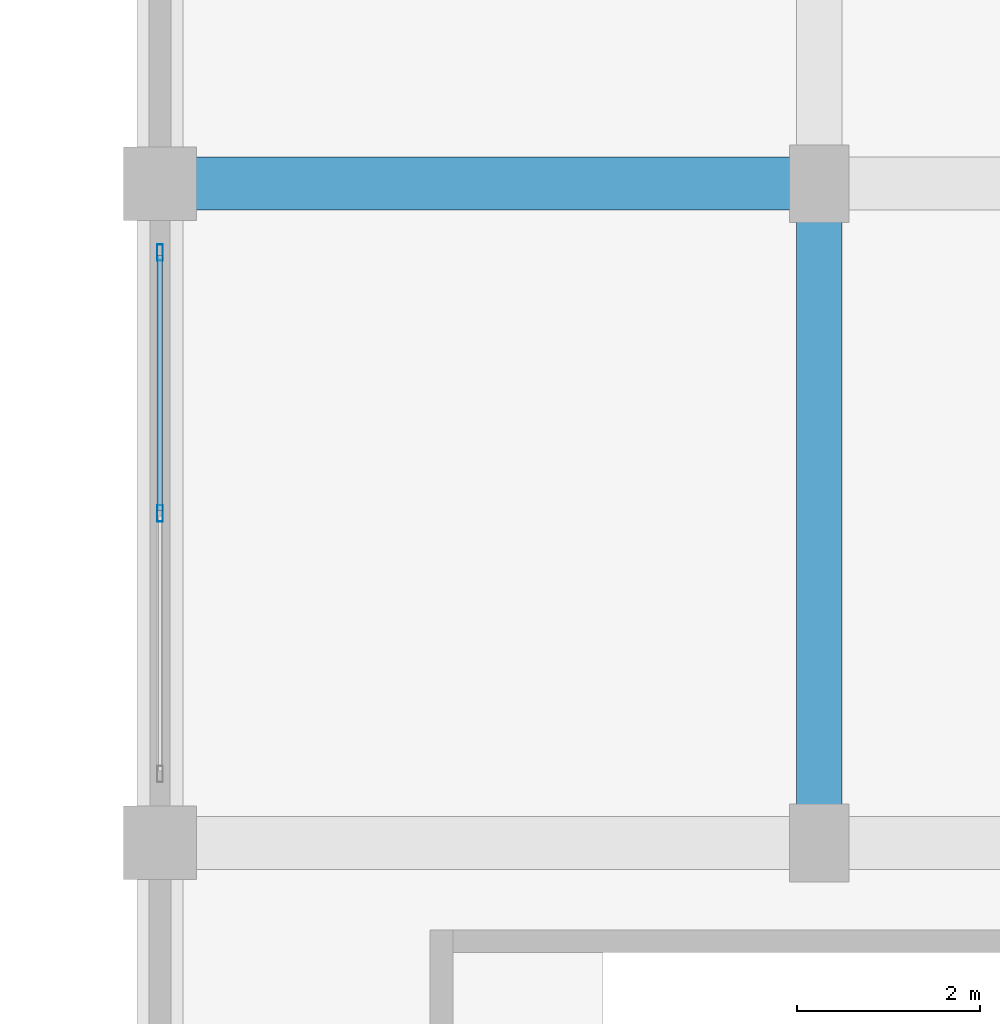
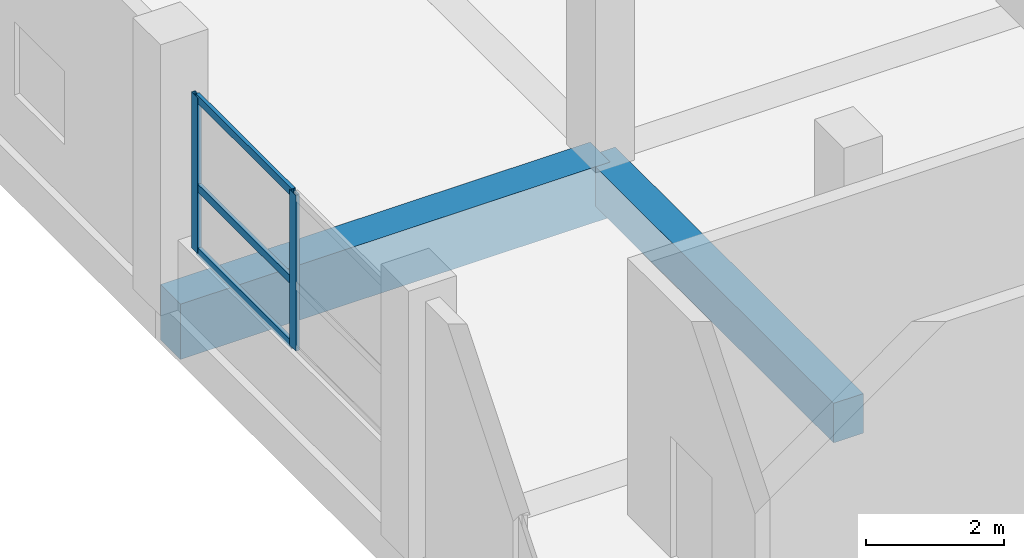
# One storey, part 77 of 140: 5 members, 2 beams, 1 element without a shape of its own.
"""IFC4 building model written with IfcOpenShell, lengths in metres."""

from ifc_helpers import new_model, si_unit, direction, frame, origin, origin_2d, place, context, subcontext, project, spatial, rectangle, hollow_rectangle, extrude, material, layer, layer_set, material_profile, profile_set, type_object, element, aggregate, save


model = new_model("IFC4")

# Units and contexts
model_context = context("Model", 3, precision=1e-05, world=origin(), true_north=direction((0.0, 1.0)))
body_context = subcontext(model_context, "Body", "Model", "MODEL_VIEW")
ifc_project = project(units=[si_unit("LENGTHUNIT", "METRE"), si_unit("AREAUNIT", "SQUARE_METRE"), si_unit("VOLUMEUNIT", "CUBIC_METRE"), si_unit("PLANEANGLEUNIT", "RADIAN"), si_unit("MASSUNIT", "GRAM", prefix="KILO")], contexts=[model_context])

# Site, building, storey
site_placement = place(None, origin())
site = spatial("IfcSite", under=ifc_project, at=site_placement, CompositionType="ELEMENT")
building_placement = place(site_placement, origin())
building = spatial("IfcBuilding", under=site, at=building_placement, Name="Seraya Terrace Polytechnic", CompositionType="ELEMENT")
storey_placement = place(building_placement, frame((0.0, 0.0, 9.60009765625)))
storey = spatial("IfcBuildingStorey", under=building, at=storey_placement, Name="L02", CompositionType="ELEMENT", Elevation=9.60009765625)

# Beams
ifc_material_1 = material(Name="Concrete C40/50", Category="concrete")
ifc_material_profile_1 = material_profile(ifc_material_1, rectangle(XDim=0.580078125, YDim=0.97998046875, at=origin_2d()), Name="RC 580x980")
ifc_profile_set_1 = profile_set([ifc_material_profile_1], Name="Concrete C40/50")
beam_type_1 = type_object("IfcBeamType", Name="BM-02", PredefinedType="BEAM", material=ifc_profile_set_1)
beam_1_placement = place(storey_placement, frame((115.199951171875, 100.800048828125, -0.489990234375), z_axis=(1.0, 0.0, 0.0), x_axis=(0.0, 1.0, 0.0)))
element("IfcBeam", 1, at=beam_1_placement, inside=storey, type_object=beam_type_1, Name="Beam BM-02 L02 X (115.2..122.4, 100.8)", PredefinedType="BEAM", context=body_context, shape_type="SweptSolid", body=[
    extrude(rectangle(XDim=0.580078125, YDim=0.97998046875, at=origin_2d()), origin(), (0.0, 0.0, 1.0), 7.199951171875),
])
ifc_material_profile_2 = material_profile(ifc_material_1, rectangle(XDim=0.5, YDim=0.699951171875, at=origin_2d()), Name="RC 500x700")
ifc_profile_set_2 = profile_set([ifc_material_profile_2], Name="Concrete C40/50")
beam_type_2 = type_object("IfcBeamType", Name="BM-07", PredefinedType="BEAM", material=ifc_profile_set_2)
beam_2_placement = place(storey_placement, frame((122.39990234375, 93.60009765625, -0.35009765625), z_axis=(0.0, 1.0, 0.0), x_axis=(-1.0, 0.0, 0.0)))
element("IfcBeam", 2, at=beam_2_placement, inside=storey, type_object=beam_type_2, Name="Beam BM-07 L02 Y (122.4, 93.6..100.8)", PredefinedType="BEAM", context=body_context, shape_type="SweptSolid", body=[
    extrude(rectangle(XDim=0.5, YDim=0.699951171875, at=origin_2d()), origin(), (0.0, 0.0, 1.0), 7.199951171875),
])

# Curtain wall, members
ifc_material_2 = material(Name="Anodised aluminium EN AW-6063 T6", Category="aluminium")
ifc_layer = layer(ifc_material_2, 0.179931640625, Name="CW-22")
ifc_layer_set = layer_set([ifc_layer], Name="Anodised aluminium EN AW-6063 T6")
curtain_wall_type = type_object("IfcCurtainWallType", Name="CW-22", PredefinedType="NOTDEFINED", material=ifc_layer_set)
curtain_wall_placement = place(storey_placement, origin())
curtain_wall = element("IfcCurtainWall", 3, at=curtain_wall_placement, inside=storey, type_object=curtain_wall_type, Name="Unitised curtain wall CW-22 (CW-L02-094)", PredefinedType="NOTDEFINED")
ifc_material_profile_3 = material_profile(ifc_material_2, hollow_rectangle(XDim=0.06494140625, YDim=0.179931640625, WallThickness=0.00390625, at=origin_2d()), Name="RHS 180x65x4.0")
ifc_profile_set_3 = profile_set([ifc_material_profile_3], Name="Anodised aluminium EN AW-6063 T6")
member_type_1 = type_object("IfcMemberType", Name="CWM-01", PredefinedType="MULLION", material=ifc_profile_set_3)
member_1_placement = place(storey_placement, frame((115.199951171875, 97.199951171875, 1.239990234375), z_axis=(0.0, 0.0, 1.0), x_axis=(-1.0, 0.0, 0.0)))
member_1 = element("IfcMember", 4, at=member_1_placement, type_object=member_type_1, Name="CW-22 mullion 2", PredefinedType="MULLION", context=body_context, shape_type="SweptSolid", body=[
    extrude(hollow_rectangle(XDim=0.06494140625, YDim=0.179931640625, WallThickness=0.00390625, at=origin_2d()), origin(), (0.0, 0.0, 1.0), 2.760009765625),
])
member_2_placement = place(storey_placement, frame((115.199951171875, 100.047607421875, 1.239990234375), z_axis=(0.0, 0.0, 1.0), x_axis=(-1.0, 0.0, 0.0)))
member_2 = element("IfcMember", 5, at=member_2_placement, type_object=member_type_1, Name="CW-22 mullion 3", PredefinedType="MULLION", context=body_context, shape_type="SweptSolid", body=[
    extrude(hollow_rectangle(XDim=0.06494140625, YDim=0.179931640625, WallThickness=0.00390625, at=origin_2d()), origin(), (0.0, 0.0, 1.0), 2.760009765625),
])
ifc_material_profile_4 = material_profile(ifc_material_2, hollow_rectangle(XDim=0.06005859375, YDim=0.139892578125, WallThickness=0.00341796875, at=origin_2d()), Name="RHS 140x60x3.5")
ifc_profile_set_4 = profile_set([ifc_material_profile_4], Name="Anodised aluminium EN AW-6063 T6")
member_type_2 = type_object("IfcMemberType", Name="CWT-01", PredefinedType="USERDEFINED", material=ifc_profile_set_4)
member_3_placement = place(storey_placement, frame((115.199951171875, 97.232421875, 1.27001953125), z_axis=(0.0, 1.0, 0.0), x_axis=(-1.0, 0.0, 0.0)))
member_3 = element("IfcMember", 6, at=member_3_placement, type_object=member_type_2, Name="CW-22 transom 2.1", ObjectType="TRANSOM", PredefinedType="USERDEFINED", context=body_context, shape_type="SweptSolid", body=[
    extrude(hollow_rectangle(XDim=0.06005859375, YDim=0.139892578125, WallThickness=0.00341796875, at=origin_2d()), origin(), (0.0, 0.0, 1.0), 2.782470703125),
])
member_4_placement = place(storey_placement, frame((115.199951171875, 97.232421875, 2.399169921875), z_axis=(0.0, 1.0, 0.0), x_axis=(-1.0, 0.0, 0.0)))
member_4 = element("IfcMember", 7, at=member_4_placement, type_object=member_type_2, Name="CW-22 transom 2.2", ObjectType="TRANSOM", PredefinedType="USERDEFINED", context=body_context, shape_type="SweptSolid", body=[
    extrude(hollow_rectangle(XDim=0.06005859375, YDim=0.139892578125, WallThickness=0.00341796875, at=origin_2d()), origin(), (0.0, 0.0, 1.0), 2.782470703125),
])
member_5_placement = place(storey_placement, frame((115.199951171875, 97.232421875, 3.969970703125), z_axis=(0.0, 1.0, 0.0), x_axis=(-1.0, 0.0, 0.0)))
member_5 = element("IfcMember", 8, at=member_5_placement, type_object=member_type_2, Name="CW-22 transom 2.3", ObjectType="TRANSOM", PredefinedType="USERDEFINED", context=body_context, shape_type="SweptSolid", body=[
    extrude(hollow_rectangle(XDim=0.06005859375, YDim=0.139892578125, WallThickness=0.00341796875, at=origin_2d()), origin(), (0.0, 0.0, 1.0), 2.782470703125),
])
aggregate(curtain_wall, [member_1, member_2, member_3, member_4, member_5])

save(model, "model.ifc")
